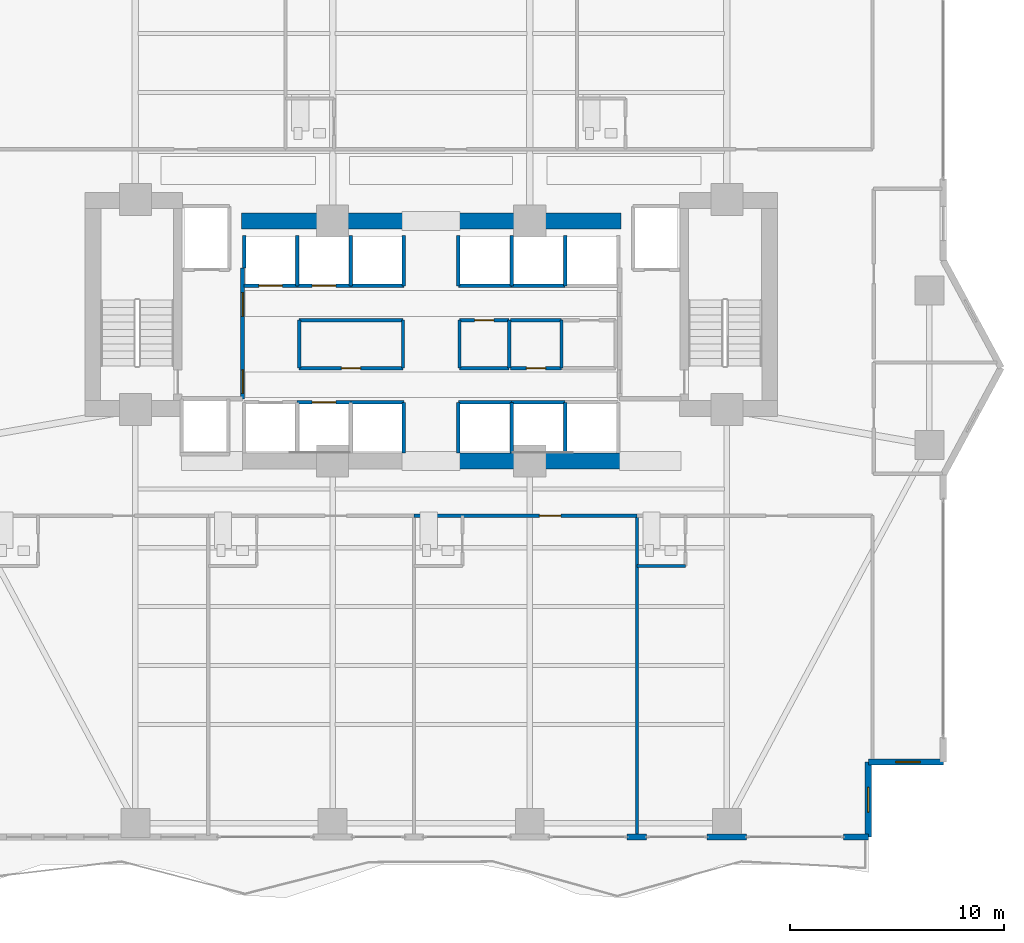
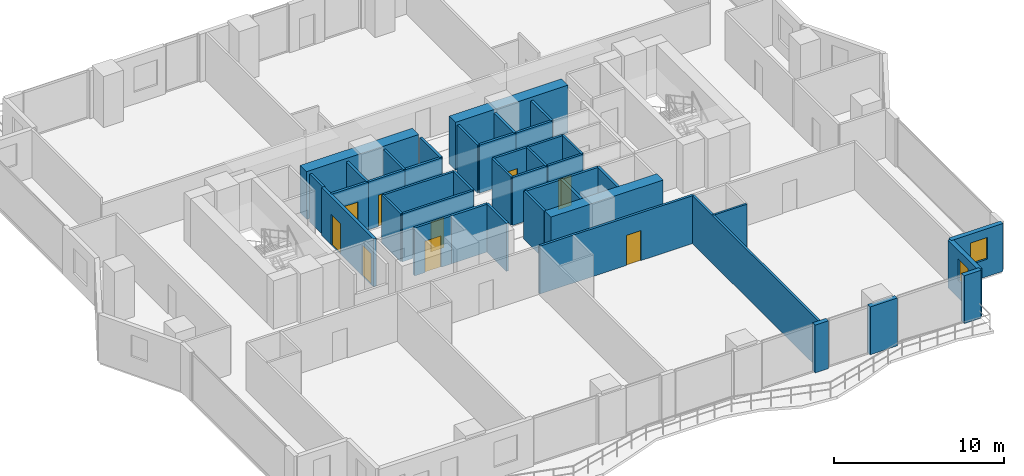
# One storey, part 22 of 28: 43 walls, 9 doors, 2 windows, 11 openings.
"""IFC4 building model written with IfcOpenShell, lengths in metres."""

from ifc_helpers import new_model, si_unit, direction, frame, frame_2d, origin, place, context, subcontext, project, spatial, rectangle, extrude, material, layer, layer_set, type_object, element, fill, save


model = new_model("IFC4")

# Units and contexts
model_context = context("Model", 3, precision=1e-05, world=origin(), true_north=direction((0.0, 1.0)))
body_context = subcontext(model_context, "Body", "Model", "MODEL_VIEW")
ifc_project = project(units=[si_unit("LENGTHUNIT", "METRE"), si_unit("AREAUNIT", "SQUARE_METRE"), si_unit("VOLUMEUNIT", "CUBIC_METRE"), si_unit("PLANEANGLEUNIT", "RADIAN"), si_unit("MASSUNIT", "GRAM", prefix="KILO")], contexts=[model_context])

# Site, building, storey
site_placement = place(None, origin())
site = spatial("IfcSite", under=ifc_project, at=site_placement, CompositionType="ELEMENT")
building_placement = place(site_placement, origin())
building = spatial("IfcBuilding", under=site, at=building_placement, Name="Zuhayl Quay Hotel", CompositionType="ELEMENT")
storey_placement = place(building_placement, frame((0.0, 0.0, 143.10009765625)))
storey = spatial("IfcBuildingStorey", under=building, at=storey_placement, Name="L36", CompositionType="ELEMENT", Elevation=143.10009765625)

# Walls
ifc_material_1 = material(Name="Concrete C60/75", Category="concrete")
ifc_layer_1 = layer(ifc_material_1, 0.75, Name="Concrete C60/75", Category="concrete")
ifc_layer_set_1 = layer_set([ifc_layer_1], Name="Concrete C60/75")
wall_type_1 = type_object("IfcWallType", Name="WL_CORE_750", PredefinedType="SHEAR", material=ifc_layer_set_1)
for number, where, z_axis, x_axis, name in (
    (1, (1.25, 2.14990234375, 0.0), (0.0, 0.0, 1.0), (1.0, 0.0, 0.0), "L36 Core Shear Wall CW_SC_E"),
    (2, (-8.85009765625, 13.35009765625, 0.0), (0.0, 0.0, 1.0), (1.0, 0.0, 0.0), "L36 Core Shear Wall CW_NC_W"),
    (3, (1.25, 13.35009765625, 0.0), (0.0, 0.0, 1.0), (1.0, 0.0, 0.0), "L36 Core Shear Wall CW_NC_E"),
):
    element("IfcWall", number, at=place(storey_placement, frame(where, z_axis=z_axis, x_axis=x_axis)), inside=storey, type_object=wall_type_1, Name=name, PredefinedType="SHEAR", context=body_context, shape_type="SweptSolid", body=[
        extrude(rectangle(XDim=7.60009765625, YDim=0.75, at=frame_2d((3.800048828125, 0.0))), origin(), (0.0, 0.0, 1.0), 3.429931640625),
    ])

# Wall, opening, window
ifc_material_2 = material(Name="Precast concrete C45/55", Category="concrete")
ifc_layer_2 = layer(ifc_material_2, 0.300048828125, Name="Precast concrete C45/55", Category="concrete")
ifc_layer_set_2 = layer_set([ifc_layer_2], Name="Precast concrete C45/55")
wall_type_2 = type_object("IfcWallType", Name="WL_EXT_300", PredefinedType="STANDARD", material=ifc_layer_set_2)
wall_1_placement = place(storey_placement, frame((23.89990234375, -11.89990234375, 0.0), z_axis=(0.0, 0.0, 1.0), x_axis=(-1.0, 0.0, 0.0)))
wall_1 = element("IfcWall", 4, at=wall_1_placement, inside=storey, type_object=wall_type_2, Name="L36 Exterior Precast Wall ENV_L36_EW15", PredefinedType="STANDARD", context=body_context, shape_type="SweptSolid", body=[
    extrude(rectangle(XDim=3.5, YDim=0.300048828125, at=frame_2d((1.75, 0.0))), origin(), (0.0, 0.0, 1.0), 3.429931640625),
])
opening_1_placement = place(wall_1_placement, frame((1.06494140625, 0.0, 1.25)))
opening_1 = element("IfcOpeningElement", 5, at=opening_1_placement, cuts=wall_1, Name="Opening W01N", PredefinedType="OPENING", context=body_context, shape_type="SweptSolid", body=[
    extrude(rectangle(XDim=1.14990234375, YDim=1.550048828125, at=frame_2d((0.574951171875, 0.77490234375))), frame((0.0, 0.159912109375, 0.0), z_axis=(0.0, -1.0, 0.0), x_axis=(1.0, 0.0, 0.0)), (0.0, 0.0, 1.0), 0.320068359375),
])
ifc_material_3 = material(Name="Dark Ceramic-Fritted Solar Glass", Category="glass")
window_type = type_object("IfcWindowType", Name="WN_NOTCH_1350", PartitioningType="SINGLE_PANEL", PredefinedType="WINDOW", material=ifc_material_3)
window_1_placement = place(opening_1_placement, origin())
window_1 = element("IfcWindow", 6, at=window_1_placement, inside=storey, type_object=window_type, Name="L36 Corner Notch Window 15", OverallHeight=1.550048828125, OverallWidth=1.14990234375, PartitioningType="SINGLE_PANEL", PredefinedType="WINDOW", context=body_context, shape_type="SweptSolid", body=[
    extrude(rectangle(XDim=1.14990234375, YDim=1.550048828125, at=frame_2d((0.574951171875, 0.77490234375))), frame((0.0, 0.030029296875, 0.0), z_axis=(0.0, -1.0, 0.0), x_axis=(1.0, 0.0, 0.0)), (0.0, 0.0, 1.0), 0.06005859375),
])
fill(opening_1, window_1)

wall_2_placement = place(storey_placement, frame((20.39990234375, -11.89990234375, 0.0), z_axis=(0.0, 0.0, 1.0), x_axis=(0.0, -1.0, 0.0)))
wall_2 = element("IfcWall", 7, at=wall_2_placement, inside=storey, type_object=wall_type_2, Name="L36 Exterior Precast Wall ENV_L36_EW16", PredefinedType="STANDARD", context=body_context, shape_type="SweptSolid", body=[
    extrude(rectangle(XDim=3.5, YDim=0.300048828125, at=frame_2d((1.75, 0.0))), origin(), (0.0, 0.0, 1.0), 3.429931640625),
])
opening_2_placement = place(wall_2_placement, frame((1.18505859375, 0.0, 1.25)))
opening_2 = element("IfcOpeningElement", 8, at=opening_2_placement, cuts=wall_2, Name="Opening W01N", PredefinedType="OPENING", context=body_context, shape_type="SweptSolid", body=[
    extrude(rectangle(XDim=1.14990234375, YDim=1.550048828125, at=frame_2d((0.574951171875, 0.77490234375))), frame((0.0, 0.159912109375, 0.0), z_axis=(0.0, -1.0, 0.0), x_axis=(1.0, 0.0, 0.0)), (0.0, 0.0, 1.0), 0.320068359375),
])
window_2_placement = place(opening_2_placement, origin())
window_2 = element("IfcWindow", 9, at=window_2_placement, inside=storey, type_object=window_type, Name="L36 Corner Notch Window 16", OverallHeight=1.550048828125, OverallWidth=1.14990234375, PartitioningType="SINGLE_PANEL", PredefinedType="WINDOW", context=body_context, shape_type="SweptSolid", body=[
    extrude(rectangle(XDim=1.14990234375, YDim=1.550048828125, at=frame_2d((0.574951171875, 0.77490234375))), frame((0.0, 0.030029296875, 0.0), z_axis=(0.0, -1.0, 0.0), x_axis=(1.0, 0.0, 0.0)), (0.0, 0.0, 1.0), 0.06005859375),
])
fill(opening_2, window_2)

# Walls
wall_3_placement = place(storey_placement, frame((20.39990234375, -15.39990234375, 0.0), z_axis=(0.0, 0.0, 1.0), x_axis=(-1.0, 0.0, 0.0)))
element("IfcWall", 10, at=wall_3_placement, inside=storey, type_object=wall_type_2, Name="L36 Exterior Precast Wall ENV_L36_S_EW1", PredefinedType="STANDARD", context=body_context, shape_type="SweptSolid", body=[
    extrude(rectangle(XDim=1.14990234375, YDim=0.300048828125, at=frame_2d((0.574951171875, 0.0))), origin(), (0.0, 0.0, 1.0), 3.429931640625),
])
wall_4_placement = place(storey_placement, frame((14.719970703125, -15.39990234375, 0.0), z_axis=(0.0, 0.0, 1.0), x_axis=(-1.0, 0.0, 0.0)))
element("IfcWall", 11, at=wall_4_placement, inside=storey, type_object=wall_type_2, Name="L36 Exterior Precast Wall ENV_L36_S_EW2", PredefinedType="STANDARD", context=body_context, shape_type="SweptSolid", body=[
    extrude(rectangle(XDim=1.840087890625, YDim=0.300048828125, at=frame_2d((0.919921875, 0.0))), origin(), (0.0, 0.0, 1.0), 3.429931640625),
])
wall_5_placement = place(storey_placement, frame((10.050048828125, -15.39990234375, 0.0), z_axis=(0.0, 0.0, 1.0), x_axis=(-1.0, 0.0, 0.0)))
element("IfcWall", 12, at=wall_5_placement, inside=storey, type_object=wall_type_2, Name="L36 Exterior Precast Wall ENV_L36_S_EW3", PredefinedType="STANDARD", context=body_context, shape_type="SweptSolid", body=[
    extrude(rectangle(XDim=0.900146484375, YDim=0.300048828125, at=frame_2d((0.4501953125, 0.0))), origin(), (0.0, 0.0, 1.0), 3.429931640625),
])

# Wall, opening, door
ifc_material_4 = material(Name="Acoustic Gypsum Partition STC-58")
ifc_layer_3 = layer(ifc_material_4, 0.14990234375, Name="Acoustic Gypsum Partition STC-58")
ifc_layer_set_3 = layer_set([ifc_layer_3], Name="Acoustic Gypsum Partition STC-58")
wall_type_3 = type_object("IfcWallType", Name="WL_PART_150", PredefinedType="PARTITIONING", material=ifc_layer_set_3)
wall_6_placement = place(storey_placement, frame((-6.159912109375, 6.47998046875, 0.0), z_axis=(0.0, 0.0, 1.0), x_axis=(1.0, 0.0, 0.0)))
wall_6 = element("IfcWall", 13, at=wall_6_placement, inside=storey, type_object=wall_type_3, Name="L36 Partition IW_L36_CORE_SV_S", PredefinedType="PARTITIONING", context=body_context, shape_type="SweptSolid", body=[
    extrude(rectangle(XDim=4.83984375, YDim=0.14990234375, at=frame_2d((2.419921875, 0.0))), origin(), (0.0, 0.0, 1.0), 3.429931640625),
])
opening_3_placement = place(wall_6_placement, frame((1.969970703125, 0.0, 0.0)))
opening_3 = element("IfcOpeningElement", 14, at=opening_3_placement, cuts=wall_6, Name="Opening D06", PredefinedType="OPENING", context=body_context, shape_type="SweptSolid", body=[
    extrude(rectangle(XDim=0.89990234375, YDim=2.14990234375, at=frame_2d((0.449951171875, 1.074951171875))), frame((0.0, 0.0849609375, 0.0), z_axis=(0.0, -1.0, 0.0), x_axis=(1.0, 0.0, 0.0)), (0.0, 0.0, 1.0), 0.169921875),
])
ifc_material_5 = material(Name="Steel ASTM A992 Grade 50", Category="steel")
door_type_1 = type_object("IfcDoorType", Name="DR_INT_900", OperationType="NOTDEFINED", PredefinedType="DOOR", material=ifc_material_5)
door_1_placement = place(opening_3_placement, origin())
door_1 = element("IfcDoor", 15, at=door_1_placement, inside=storey, type_object=door_type_1, Name="L36 Core Ice and Linen Store Door", OperationType="SINGLE_SWING_LEFT", OverallHeight=2.14990234375, OverallWidth=0.89990234375, PredefinedType="DOOR", context=body_context, shape_type="SweptSolid", body=[
    extrude(rectangle(XDim=0.89990234375, YDim=2.14990234375, at=frame_2d((0.449951171875, 1.074951171875))), frame((0.0, 0.02490234375, 0.0), z_axis=(0.0, -1.0, 0.0), x_axis=(1.0, 0.0, 0.0)), (0.0, 0.0, 1.0), 0.050048828125),
])
fill(opening_3, door_1)

wall_7_placement = place(storey_placement, frame((1.320068359375, 8.719970703125, 0.0), z_axis=(0.0, 0.0, 1.0), x_axis=(1.0, 0.0, 0.0)))
wall_7 = element("IfcWall", 16, at=wall_7_placement, inside=storey, type_object=wall_type_3, Name="L36 Partition IW_L36_CORE_E1_N", PredefinedType="PARTITIONING", context=body_context, shape_type="SweptSolid", body=[
    extrude(rectangle(XDim=2.31982421875, YDim=0.14990234375, at=frame_2d((1.159912109375, 0.0))), origin(), (0.0, 0.0, 1.0), 3.429931640625),
])
opening_4_placement = place(wall_7_placement, frame((0.7099609375, 0.0, 0.0)))
opening_4 = element("IfcOpeningElement", 17, at=opening_4_placement, cuts=wall_7, Name="Opening D06", PredefinedType="OPENING", context=body_context, shape_type="SweptSolid", body=[
    extrude(rectangle(XDim=0.89990234375, YDim=2.14990234375, at=frame_2d((0.449951171875, 1.074951171875))), frame((0.0, 0.0849609375, 0.0), z_axis=(0.0, -1.0, 0.0), x_axis=(1.0, 0.0, 0.0)), (0.0, 0.0, 1.0), 0.169921875),
])
door_2_placement = place(opening_4_placement, origin())
door_2 = element("IfcDoor", 18, at=door_2_placement, inside=storey, type_object=door_type_1, Name="L36 Floor Electrical Closet Door", OperationType="SINGLE_SWING_RIGHT", OverallHeight=2.14990234375, OverallWidth=0.89990234375, PredefinedType="DOOR", context=body_context, shape_type="SweptSolid", body=[
    extrude(rectangle(XDim=0.89990234375, YDim=2.14990234375, at=frame_2d((0.449951171875, 1.074951171875))), frame((0.0, 0.02490234375, 0.0), z_axis=(0.0, -1.0, 0.0), x_axis=(1.0, 0.0, 0.0)), (0.0, 0.0, 1.0), 0.050048828125),
])
fill(opening_4, door_2)

wall_8_placement = place(storey_placement, frame((3.699951171875, 6.47998046875, 0.0), z_axis=(0.0, 0.0, 1.0), x_axis=(1.0, 0.0, 0.0)))
wall_8 = element("IfcWall", 19, at=wall_8_placement, inside=storey, type_object=wall_type_3, Name="L36 Partition IW_L36_CORE_E2_S", PredefinedType="PARTITIONING", context=body_context, shape_type="SweptSolid", body=[
    extrude(rectangle(XDim=2.380126953125, YDim=0.14990234375, at=frame_2d((1.18994140625, 0.0))), origin(), (0.0, 0.0, 1.0), 3.429931640625),
])
opening_5_placement = place(wall_8_placement, frame((0.739990234375, 0.0, 0.0)))
opening_5 = element("IfcOpeningElement", 20, at=opening_5_placement, cuts=wall_8, Name="Opening D06", PredefinedType="OPENING", context=body_context, shape_type="SweptSolid", body=[
    extrude(rectangle(XDim=0.89990234375, YDim=2.14990234375, at=frame_2d((0.449951171875, 1.074951171875))), frame((0.0, 0.0849609375, 0.0), z_axis=(0.0, -1.0, 0.0), x_axis=(1.0, 0.0, 0.0)), (0.0, 0.0, 1.0), 0.169921875),
])
door_3_placement = place(opening_5_placement, origin())
door_3 = element("IfcDoor", 21, at=door_3_placement, inside=storey, type_object=door_type_1, Name="L36 Data Closet Door", OperationType="SINGLE_SWING_LEFT", OverallHeight=2.14990234375, OverallWidth=0.89990234375, PredefinedType="DOOR", context=body_context, shape_type="SweptSolid", body=[
    extrude(rectangle(XDim=0.89990234375, YDim=2.14990234375, at=frame_2d((0.449951171875, 1.074951171875))), frame((0.0, 0.02490234375, 0.0), z_axis=(0.0, -1.0, 0.0), x_axis=(1.0, 0.0, 0.0)), (0.0, 0.0, 1.0), 0.050048828125),
])
fill(opening_5, door_3)

# Walls
wall_9_placement = place(storey_placement, frame((-6.159912109375, 8.719970703125, 0.0), z_axis=(0.0, 0.0, 1.0), x_axis=(1.0, 0.0, 0.0)))
element("IfcWall", 22, at=wall_9_placement, inside=storey, type_object=wall_type_3, Name="L36 Partition IW_L36_CORE_SV_N", PredefinedType="PARTITIONING", context=body_context, shape_type="SweptSolid", body=[
    extrude(rectangle(XDim=4.83984375, YDim=0.14990234375, at=frame_2d((2.419921875, 0.0))), origin(), (0.0, 0.0, 1.0), 3.429931640625),
])
for number, where, z_axis, x_axis, name in (
    (23, (-6.159912109375, 6.47998046875, 0.0), (0.0, 0.0, 1.0), (0.0, 1.0, 0.0), "L36 Partition IW_L36_CORE_SV_W"),
    (24, (-1.320068359375, 6.47998046875, 0.0), (0.0, 0.0, 1.0), (0.0, 1.0, 0.0), "L36 Partition IW_L36_CORE_SV_E"),
):
    element("IfcWall", number, at=place(storey_placement, frame(where, z_axis=z_axis, x_axis=x_axis)), inside=storey, type_object=wall_type_3, Name=name, PredefinedType="PARTITIONING", context=body_context, shape_type="SweptSolid", body=[
        extrude(rectangle(XDim=2.239990234375, YDim=0.14990234375, at=frame_2d((1.1201171875, 0.0))), origin(), (0.0, 0.0, 1.0), 3.429931640625),
    ])
wall_10_placement = place(storey_placement, frame((1.320068359375, 6.47998046875, 0.0), z_axis=(0.0, 0.0, 1.0), x_axis=(1.0, 0.0, 0.0)))
element("IfcWall", 25, at=wall_10_placement, inside=storey, type_object=wall_type_3, Name="L36 Partition IW_L36_CORE_E1_S", PredefinedType="PARTITIONING", context=body_context, shape_type="SweptSolid", body=[
    extrude(rectangle(XDim=2.31982421875, YDim=0.14990234375, at=frame_2d((1.159912109375, 0.0))), origin(), (0.0, 0.0, 1.0), 3.429931640625),
])
for number, where, z_axis, x_axis, name in (
    (26, (1.320068359375, 6.47998046875, 0.0), (0.0, 0.0, 1.0), (0.0, 1.0, 0.0), "L36 Partition IW_L36_CORE_E1_W"),
    (27, (3.639892578125, 6.47998046875, 0.0), (0.0, 0.0, 1.0), (0.0, 1.0, 0.0), "L36 Partition IW_L36_CORE_E1_E"),
):
    element("IfcWall", number, at=place(storey_placement, frame(where, z_axis=z_axis, x_axis=x_axis)), inside=storey, type_object=wall_type_3, Name=name, PredefinedType="PARTITIONING", context=body_context, shape_type="SweptSolid", body=[
        extrude(rectangle(XDim=2.239990234375, YDim=0.14990234375, at=frame_2d((1.1201171875, 0.0))), origin(), (0.0, 0.0, 1.0), 3.429931640625),
    ])
wall_11_placement = place(storey_placement, frame((3.699951171875, 8.719970703125, 0.0), z_axis=(0.0, 0.0, 1.0), x_axis=(1.0, 0.0, 0.0)))
element("IfcWall", 28, at=wall_11_placement, inside=storey, type_object=wall_type_3, Name="L36 Partition IW_L36_CORE_E2_N", PredefinedType="PARTITIONING", context=body_context, shape_type="SweptSolid", body=[
    extrude(rectangle(XDim=2.380126953125, YDim=0.14990234375, at=frame_2d((1.18994140625, 0.0))), origin(), (0.0, 0.0, 1.0), 3.429931640625),
])
wall_12_placement = place(storey_placement, frame((6.080078125, 6.47998046875, 0.0), z_axis=(0.0, 0.0, 1.0), x_axis=(0.0, 1.0, 0.0)))
element("IfcWall", 29, at=wall_12_placement, inside=storey, type_object=wall_type_3, Name="L36 Partition IW_L36_CORE_E2_E", PredefinedType="PARTITIONING", context=body_context, shape_type="SweptSolid", body=[
    extrude(rectangle(XDim=2.239990234375, YDim=0.14990234375, at=frame_2d((1.1201171875, 0.0))), origin(), (0.0, 0.0, 1.0), 3.429931640625),
])
wall_13_placement = place(storey_placement, frame((9.60009765625, -15.320068359375, 0.0), z_axis=(0.0, 0.0, 1.0), x_axis=(0.0, 1.0, 0.0)))
element("IfcWall", 30, at=wall_13_placement, inside=storey, type_object=wall_type_3, Name="L36 Partition IW_L36_SU03_E", PredefinedType="PARTITIONING", context=body_context, shape_type="SweptSolid", body=[
    extrude(rectangle(XDim=14.920166015625, YDim=0.14990234375, at=frame_2d((7.4599609375, 0.0))), origin(), (0.0, 0.0, 1.0), 3.429931640625),
])

# Wall, opening, door
ifc_layer_4 = layer(ifc_material_4, 0.159912109375, Name="Acoustic Gypsum Partition STC-58")
ifc_layer_set_4 = layer_set([ifc_layer_4], Name="Acoustic Gypsum Partition STC-58")
wall_type_4 = type_object("IfcWallType", Name="WL_PART_CORR_160", PredefinedType="PARTITIONING", material=ifc_layer_set_4)
wall_14_placement = place(storey_placement, frame((-0.800048828125, -0.39990234375, 0.0), z_axis=(0.0, 0.0, 1.0), x_axis=(1.0, 0.0, 0.0)))
wall_14 = element("IfcWall", 31, at=wall_14_placement, inside=storey, type_object=wall_type_4, Name="L36 Partition IW_L36_SU03_COR", PredefinedType="PARTITIONING", context=body_context, shape_type="SweptSolid", body=[
    extrude(rectangle(XDim=10.400146484375, YDim=0.159912109375, at=frame_2d((5.2001953125, 0.0))), origin(), (0.0, 0.0, 1.0), 3.429931640625),
])
opening_6_placement = place(wall_14_placement, frame((5.85009765625, 0.0, 0.0)))
opening_6 = element("IfcOpeningElement", 32, at=opening_6_placement, cuts=wall_14, Name="Opening D03L", PredefinedType="OPENING", context=body_context, shape_type="SweptSolid", body=[
    extrude(rectangle(XDim=1.0, YDim=2.14990234375, at=frame_2d((0.5, 1.074951171875))), frame((0.0, 0.08984375, 0.0), z_axis=(0.0, -1.0, 0.0), x_axis=(1.0, 0.0, 0.0)), (0.0, 0.0, 1.0), 0.179931640625),
])
ifc_material_6 = material(Name="Solid Walnut Acoustic Fire Door")
door_type_2 = type_object("IfcDoorType", Name="DR_SUITE_1000", OperationType="NOTDEFINED", PredefinedType="DOOR", material=ifc_material_6)
door_4_placement = place(opening_6_placement, origin())
door_4 = element("IfcDoor", 33, at=door_4_placement, inside=storey, type_object=door_type_2, Name="L36 City-View Junior Suite L36-03 Entrance Door", OperationType="SINGLE_SWING_LEFT", OverallHeight=2.14990234375, OverallWidth=1.0, PredefinedType="DOOR", context=body_context, shape_type="SweptSolid", body=[
    extrude(rectangle(XDim=1.0, YDim=2.14990234375, at=frame_2d((0.5, 1.074951171875))), frame((0.0, 0.02490234375, 0.0), z_axis=(0.0, -1.0, 0.0), x_axis=(1.0, 0.0, 0.0)), (0.0, 0.0, 1.0), 0.050048828125),
])
fill(opening_6, door_4)

# Wall
ifc_material_7 = material(Name="Moisture-Resistant Sanitarychase Gypsum")
ifc_layer_5 = layer(ifc_material_7, 0.135009765625, Name="Moisture-Resistant Sanitarychase Gypsum")
ifc_layer_set_5 = layer_set([ifc_layer_5], Name="Moisture-Resistant Sanitarychase Gypsum")
wall_type_5 = type_object("IfcWallType", Name="WL_PART_PLUMB_150", PredefinedType="PLUMBINGWALL", material=ifc_layer_set_5)
wall_15_placement = place(storey_placement, frame((9.60009765625, -2.760009765625, 0.0), z_axis=(0.0, 0.0, 1.0), x_axis=(1.0, 0.0, 0.0)))
element("IfcWall", 34, at=wall_15_placement, inside=storey, type_object=wall_type_5, Name="L36 Partition IW_L36_SU04_BS", PredefinedType="PLUMBINGWALL", context=body_context, shape_type="SweptSolid", body=[
    extrude(rectangle(XDim=2.260009765625, YDim=0.135009765625, at=frame_2d((1.1298828125, 0.0))), origin(), (0.0, 0.0, 1.0), 3.429931640625),
])

# Wall, opening, door
ifc_material_8 = material(Name="Gypsum Fireboard Assembly EI-90")
ifc_layer_6 = layer(ifc_material_8, 0.1650390625, Name="Gypsum Fireboard Assembly EI-90")
ifc_layer_set_6 = layer_set([ifc_layer_6], Name="Gypsum Fireboard Assembly EI-90")
wall_type_6 = type_object("IfcWallType", Name="WL_PART_SHAFT_160", PredefinedType="PARTITIONING", material=ifc_layer_set_6)
wall_16_placement = place(storey_placement, frame((-6.25, 4.8798828125, 0.0), z_axis=(0.0, 0.0, 1.0), x_axis=(1.0, 0.0, 0.0)))
wall_16 = element("IfcWall", 35, at=wall_16_placement, inside=storey, type_object=wall_type_6, Name="L36 Partition IW_L36_SH_LP2_F", PredefinedType="PARTITIONING", context=body_context, shape_type="SweptSolid", body=[
    extrude(rectangle(XDim=2.5, YDim=0.1650390625, at=frame_2d((1.25, 0.0))), origin(), (0.0, 0.0, 1.0), 3.429931640625),
])
opening_7_placement = place(wall_16_placement, frame((0.699951171875, 0.0, 0.0)))
opening_7 = element("IfcOpeningElement", 36, at=opening_7_placement, cuts=wall_16, Name="Opening LD1", PredefinedType="OPENING", context=body_context, shape_type="SweptSolid", body=[
    extrude(rectangle(XDim=1.10009765625, YDim=2.25, at=frame_2d((0.550048828125, 1.125))), frame((0.0, 0.092529296875, 0.0), z_axis=(0.0, -1.0, 0.0), x_axis=(1.0, 0.0, 0.0)), (0.0, 0.0, 1.0), 0.18505859375),
])
ifc_material_9 = material(Name="Brushed Stainless Steel", Category="steel")
door_type_3 = type_object("IfcDoorType", Name="DR_LIFT_PASS_1100", OperationType="SLIDING_TO_LEFT", PredefinedType="DOOR", material=ifc_material_9)
door_5_placement = place(opening_7_placement, origin())
door_5 = element("IfcDoor", 37, at=door_5_placement, inside=storey, type_object=door_type_3, Name="L36 Lift LP2 Sliding Landing Door", OperationType="SLIDING_TO_LEFT", OverallHeight=2.25, OverallWidth=1.10009765625, PredefinedType="DOOR", context=body_context, shape_type="SweptSolid", body=[
    extrude(rectangle(XDim=1.10009765625, YDim=2.25, at=frame_2d((0.550048828125, 1.125))), frame((0.0, 0.02490234375, 0.0), z_axis=(0.0, -1.0, 0.0), x_axis=(1.0, 0.0, 0.0)), (0.0, 0.0, 1.0), 0.050048828125),
])
fill(opening_7, door_5)

wall_17_placement = place(storey_placement, frame((-8.72998046875, 10.320068359375, 0.0), z_axis=(0.0, 0.0, 1.0), x_axis=(1.0, 0.0, 0.0)))
wall_17 = element("IfcWall", 38, at=wall_17_placement, inside=storey, type_object=wall_type_6, Name="L36 Partition IW_L36_SH_LP3_F", PredefinedType="PARTITIONING", context=body_context, shape_type="SweptSolid", body=[
    extrude(rectangle(XDim=2.47998046875, YDim=0.1650390625, at=frame_2d((1.239990234375, 0.0))), origin(), (0.0, 0.0, 1.0), 3.429931640625),
])
opening_8_placement = place(wall_17_placement, frame((0.68994140625, 0.0, 0.0)))
opening_8 = element("IfcOpeningElement", 39, at=opening_8_placement, cuts=wall_17, Name="Opening LD1", PredefinedType="OPENING", context=body_context, shape_type="SweptSolid", body=[
    extrude(rectangle(XDim=1.10009765625, YDim=2.25, at=frame_2d((0.550048828125, 1.125))), frame((0.0, 0.092529296875, 0.0), z_axis=(0.0, -1.0, 0.0), x_axis=(1.0, 0.0, 0.0)), (0.0, 0.0, 1.0), 0.18505859375),
])
door_6_placement = place(opening_8_placement, origin())
door_6 = element("IfcDoor", 40, at=door_6_placement, inside=storey, type_object=door_type_3, Name="L36 Lift LP3 Sliding Landing Door", OperationType="SLIDING_TO_LEFT", OverallHeight=2.25, OverallWidth=1.10009765625, PredefinedType="DOOR", context=body_context, shape_type="SweptSolid", body=[
    extrude(rectangle(XDim=1.10009765625, YDim=2.25, at=frame_2d((0.550048828125, 1.125))), frame((0.0, 0.02490234375, 0.0), z_axis=(0.0, -1.0, 0.0), x_axis=(1.0, 0.0, 0.0)), (0.0, 0.0, 1.0), 0.050048828125),
])
fill(opening_8, door_6)

wall_18_placement = place(storey_placement, frame((-6.25, 10.320068359375, 0.0), z_axis=(0.0, 0.0, 1.0), x_axis=(1.0, 0.0, 0.0)))
wall_18 = element("IfcWall", 41, at=wall_18_placement, inside=storey, type_object=wall_type_6, Name="L36 Partition IW_L36_SH_LP4_F", PredefinedType="PARTITIONING", context=body_context, shape_type="SweptSolid", body=[
    extrude(rectangle(XDim=2.5, YDim=0.1650390625, at=frame_2d((1.25, 0.0))), origin(), (0.0, 0.0, 1.0), 3.429931640625),
])
opening_9_placement = place(wall_18_placement, frame((0.699951171875, 0.0, 0.0)))
opening_9 = element("IfcOpeningElement", 42, at=opening_9_placement, cuts=wall_18, Name="Opening LD1", PredefinedType="OPENING", context=body_context, shape_type="SweptSolid", body=[
    extrude(rectangle(XDim=1.10009765625, YDim=2.25, at=frame_2d((0.550048828125, 1.125))), frame((0.0, 0.092529296875, 0.0), z_axis=(0.0, -1.0, 0.0), x_axis=(1.0, 0.0, 0.0)), (0.0, 0.0, 1.0), 0.18505859375),
])
door_7_placement = place(opening_9_placement, origin())
door_7 = element("IfcDoor", 43, at=door_7_placement, inside=storey, type_object=door_type_3, Name="L36 Lift LP4 Sliding Landing Door", OperationType="SLIDING_TO_LEFT", OverallHeight=2.25, OverallWidth=1.10009765625, PredefinedType="DOOR", context=body_context, shape_type="SweptSolid", body=[
    extrude(rectangle(XDim=1.10009765625, YDim=2.25, at=frame_2d((0.550048828125, 1.125))), frame((0.0, 0.02490234375, 0.0), z_axis=(0.0, -1.0, 0.0), x_axis=(1.0, 0.0, 0.0)), (0.0, 0.0, 1.0), 0.050048828125),
])
fill(opening_9, door_7)

# Walls
wall_19_placement = place(storey_placement, frame((-8.72998046875, 11.14990234375, 0.0), z_axis=(0.0, 0.0, 1.0), x_axis=(0.0, 1.0, 0.0)))
element("IfcWall", 44, at=wall_19_placement, inside=storey, type_object=wall_type_6, Name="L36 Partition IW_L36_SH_LP3_W", PredefinedType="PARTITIONING", context=body_context, shape_type="SweptSolid", body=[
    extrude(rectangle(XDim=1.530029296875, YDim=0.1650390625, at=frame_2d((0.76513671875, 0.0))), origin(), (0.0, 0.0, 1.0), 3.429931640625),
])
for number, where, z_axis, x_axis, name in (
    (45, (-6.25, 10.320068359375, 0.0), (0.0, 0.0, 1.0), (0.0, 1.0, 0.0), "L36 Partition IW_L36_SH_LP3_E"),
    (46, (-3.75, 10.320068359375, 0.0), (0.0, 0.0, 1.0), (0.0, 1.0, 0.0), "L36 Partition IW_L36_SH_LP4_E"),
):
    element("IfcWall", number, at=place(storey_placement, frame(where, z_axis=z_axis, x_axis=x_axis)), inside=storey, type_object=wall_type_6, Name=name, PredefinedType="PARTITIONING", context=body_context, shape_type="SweptSolid", body=[
        extrude(rectangle(XDim=2.35986328125, YDim=0.1650390625, at=frame_2d((1.179931640625, 0.0))), origin(), (0.0, 0.0, 1.0), 3.429931640625),
    ])
wall_20_placement = place(storey_placement, frame((-3.75, 4.8798828125, 0.0), z_axis=(0.0, 0.0, 1.0), x_axis=(1.0, 0.0, 0.0)))
element("IfcWall", 47, at=wall_20_placement, inside=storey, type_object=wall_type_6, Name="L36 Partition IW_L36_SH_MP1_F", PredefinedType="PARTITIONING", context=body_context, shape_type="SweptSolid", body=[
    extrude(rectangle(XDim=2.47998046875, YDim=0.1650390625, at=frame_2d((1.239990234375, 0.0))), origin(), (0.0, 0.0, 1.0), 3.429931640625),
])
wall_21_placement = place(storey_placement, frame((-1.27001953125, 2.52001953125, 0.0), z_axis=(0.0, 0.0, 1.0), x_axis=(0.0, 1.0, 0.0)))
element("IfcWall", 48, at=wall_21_placement, inside=storey, type_object=wall_type_6, Name="L36 Partition IW_L36_SH_MP1_E", PredefinedType="PARTITIONING", context=body_context, shape_type="SweptSolid", body=[
    extrude(rectangle(XDim=2.35986328125, YDim=0.1650390625, at=frame_2d((1.179931640625, 0.0))), origin(), (0.0, 0.0, 1.0), 3.429931640625),
])
wall_22_placement = place(storey_placement, frame((1.27001953125, 4.8798828125, 0.0), z_axis=(0.0, 0.0, 1.0), x_axis=(1.0, 0.0, 0.0)))
element("IfcWall", 49, at=wall_22_placement, inside=storey, type_object=wall_type_6, Name="L36 Partition IW_L36_SH_MP2_F", PredefinedType="PARTITIONING", context=body_context, shape_type="SweptSolid", body=[
    extrude(rectangle(XDim=2.47998046875, YDim=0.1650390625, at=frame_2d((1.239990234375, 0.0))), origin(), (0.0, 0.0, 1.0), 3.429931640625),
])
for number, where, z_axis, x_axis, name in (
    (50, (1.27001953125, 2.52001953125, 0.0), (0.0, 0.0, 1.0), (0.0, 1.0, 0.0), "L36 Partition IW_L36_SH_MP2_W"),
    (51, (3.75, 2.52001953125, 0.0), (0.0, 0.0, 1.0), (0.0, 1.0, 0.0), "L36 Partition IW_L36_SH_MP2_E"),
):
    element("IfcWall", number, at=place(storey_placement, frame(where, z_axis=z_axis, x_axis=x_axis)), inside=storey, type_object=wall_type_6, Name=name, PredefinedType="PARTITIONING", context=body_context, shape_type="SweptSolid", body=[
        extrude(rectangle(XDim=2.35986328125, YDim=0.1650390625, at=frame_2d((1.179931640625, 0.0))), origin(), (0.0, 0.0, 1.0), 3.429931640625),
    ])
wall_23_placement = place(storey_placement, frame((-3.75, 10.320068359375, 0.0), z_axis=(0.0, 0.0, 1.0), x_axis=(1.0, 0.0, 0.0)))
element("IfcWall", 52, at=wall_23_placement, inside=storey, type_object=wall_type_6, Name="L36 Partition IW_L36_SH_MP3_F", PredefinedType="PARTITIONING", context=body_context, shape_type="SweptSolid", body=[
    extrude(rectangle(XDim=2.47998046875, YDim=0.1650390625, at=frame_2d((1.239990234375, 0.0))), origin(), (0.0, 0.0, 1.0), 3.429931640625),
])
wall_24_placement = place(storey_placement, frame((-1.27001953125, 10.320068359375, 0.0), z_axis=(0.0, 0.0, 1.0), x_axis=(0.0, 1.0, 0.0)))
element("IfcWall", 53, at=wall_24_placement, inside=storey, type_object=wall_type_6, Name="L36 Partition IW_L36_SH_MP3_E", PredefinedType="PARTITIONING", context=body_context, shape_type="SweptSolid", body=[
    extrude(rectangle(XDim=2.35986328125, YDim=0.1650390625, at=frame_2d((1.179931640625, 0.0))), origin(), (0.0, 0.0, 1.0), 3.429931640625),
])
wall_25_placement = place(storey_placement, frame((1.27001953125, 10.320068359375, 0.0), z_axis=(0.0, 0.0, 1.0), x_axis=(1.0, 0.0, 0.0)))
element("IfcWall", 54, at=wall_25_placement, inside=storey, type_object=wall_type_6, Name="L36 Partition IW_L36_SH_MP4_F", PredefinedType="PARTITIONING", context=body_context, shape_type="SweptSolid", body=[
    extrude(rectangle(XDim=2.47998046875, YDim=0.1650390625, at=frame_2d((1.239990234375, 0.0))), origin(), (0.0, 0.0, 1.0), 3.429931640625),
])
for number, where, z_axis, x_axis, name in (
    (55, (1.27001953125, 10.320068359375, 0.0), (0.0, 0.0, 1.0), (0.0, 1.0, 0.0), "L36 Partition IW_L36_SH_MP4_W"),
    (56, (3.75, 10.320068359375, 0.0), (0.0, 0.0, 1.0), (0.0, 1.0, 0.0), "L36 Partition IW_L36_SH_MP4_E"),
):
    element("IfcWall", number, at=place(storey_placement, frame(where, z_axis=z_axis, x_axis=x_axis)), inside=storey, type_object=wall_type_6, Name=name, PredefinedType="PARTITIONING", context=body_context, shape_type="SweptSolid", body=[
        extrude(rectangle(XDim=2.35986328125, YDim=0.1650390625, at=frame_2d((1.179931640625, 0.0))), origin(), (0.0, 0.0, 1.0), 3.429931640625),
    ])
wall_26_placement = place(storey_placement, frame((3.75, 4.8798828125, 0.0), z_axis=(0.0, 0.0, 1.0), x_axis=(1.0, 0.0, 0.0)))
element("IfcWall", 57, at=wall_26_placement, inside=storey, type_object=wall_type_6, Name="L36 Partition IW_L36_SH_HP1_F", PredefinedType="PARTITIONING", context=body_context, shape_type="SweptSolid", body=[
    extrude(rectangle(XDim=2.5, YDim=0.1650390625, at=frame_2d((1.25, 0.0))), origin(), (0.0, 0.0, 1.0), 3.429931640625),
])
wall_27_placement = place(storey_placement, frame((6.25, 2.52001953125, 0.0), z_axis=(0.0, 0.0, 1.0), x_axis=(0.0, 1.0, 0.0)))
element("IfcWall", 58, at=wall_27_placement, inside=storey, type_object=wall_type_6, Name="L36 Partition IW_L36_SH_HP1_E", PredefinedType="PARTITIONING", context=body_context, shape_type="SweptSolid", body=[
    extrude(rectangle(XDim=2.35986328125, YDim=0.1650390625, at=frame_2d((1.179931640625, 0.0))), origin(), (0.0, 0.0, 1.0), 3.429931640625),
])
wall_28_placement = place(storey_placement, frame((3.75, 10.320068359375, 0.0), z_axis=(0.0, 0.0, 1.0), x_axis=(1.0, 0.0, 0.0)))
element("IfcWall", 59, at=wall_28_placement, inside=storey, type_object=wall_type_6, Name="L36 Partition IW_L36_SH_HP3_F", PredefinedType="PARTITIONING", context=body_context, shape_type="SweptSolid", body=[
    extrude(rectangle(XDim=2.5, YDim=0.1650390625, at=frame_2d((1.25, 0.0))), origin(), (0.0, 0.0, 1.0), 3.429931640625),
])
wall_29_placement = place(storey_placement, frame((6.25, 10.320068359375, 0.0), z_axis=(0.0, 0.0, 1.0), x_axis=(0.0, 1.0, 0.0)))
element("IfcWall", 60, at=wall_29_placement, inside=storey, type_object=wall_type_6, Name="L36 Partition IW_L36_SH_HP3_E", PredefinedType="PARTITIONING", context=body_context, shape_type="SweptSolid", body=[
    extrude(rectangle(XDim=2.35986328125, YDim=0.1650390625, at=frame_2d((1.179931640625, 0.0))), origin(), (0.0, 0.0, 1.0), 3.429931640625),
])

# Wall, openings, doors
ifc_material_10 = material(Name="Gypsum Fireboard Assembly EI-120")
ifc_layer_7 = layer(ifc_material_10, 0.199951171875, Name="Gypsum Fireboard Assembly EI-120")
ifc_layer_set_7 = layer_set([ifc_layer_7], Name="Gypsum Fireboard Assembly EI-120")
wall_type_7 = type_object("IfcWallType", Name="WL_PART_SHAFT_200", PredefinedType="PARTITIONING", material=ifc_layer_set_7)
wall_30_placement = place(storey_placement, frame((-8.800048828125, 5.050048828125, 0.0), z_axis=(0.0, 0.0, 1.0), x_axis=(0.0, 1.0, 0.0)))
wall_30 = element("IfcWall", 61, at=wall_30_placement, inside=storey, type_object=wall_type_7, Name="L36 Partition IW_L36_FSAE_W_E", PredefinedType="PARTITIONING", context=body_context, shape_type="SweptSolid", body=[
    extrude(rectangle(XDim=6.099853515625, YDim=0.199951171875, at=frame_2d((3.0498046875, 0.0))), origin(), (0.0, 0.0, 1.0), 3.429931640625),
])
opening_10_placement = place(wall_30_placement, frame((0.25, 0.0, 0.0)))
opening_10 = element("IfcOpeningElement", 62, at=opening_10_placement, cuts=wall_30, Name="Opening D02", PredefinedType="OPENING", context=body_context, shape_type="SweptSolid", body=[
    extrude(rectangle(XDim=1.10009765625, YDim=2.199951171875, at=frame_2d((0.550048828125, 1.10009765625))), frame((0.0, 0.10986328125, 0.0), z_axis=(0.0, -1.0, 0.0), x_axis=(1.0, 0.0, 0.0)), (0.0, 0.0, 1.0), 0.219970703125),
])
opening_11_placement = place(wall_30_placement, frame((3.85009765625, 0.0, 0.0)))
opening_11 = element("IfcOpeningElement", 63, at=opening_11_placement, cuts=wall_30, Name="Opening D02", PredefinedType="OPENING", context=body_context, shape_type="SweptSolid", body=[
    extrude(rectangle(XDim=1.10009765625, YDim=2.199951171875, at=frame_2d((0.550048828125, 1.10009765625))), frame((0.0, 0.10986328125, 0.0), z_axis=(0.0, -1.0, 0.0), x_axis=(1.0, 0.0, 0.0)), (0.0, 0.0, 1.0), 0.219970703125),
])
door_type_4 = type_object("IfcDoorType", Name="DR_FIRE_90_1100", OperationType="NOTDEFINED", PredefinedType="DOOR", material=ifc_material_5)
door_8_placement = place(opening_10_placement, origin())
door_8 = element("IfcDoor", 64, at=door_8_placement, inside=storey, type_object=door_type_4, Name="L36 FSAE Lobby West South Entry Door", OperationType="SINGLE_SWING_LEFT", OverallHeight=2.199951171875, OverallWidth=1.10009765625, PredefinedType="DOOR", context=body_context, shape_type="SweptSolid", body=[
    extrude(rectangle(XDim=1.10009765625, YDim=2.199951171875, at=frame_2d((0.550048828125, 1.10009765625))), frame((0.0, 0.02490234375, 0.0), z_axis=(0.0, -1.0, 0.0), x_axis=(1.0, 0.0, 0.0)), (0.0, 0.0, 1.0), 0.050048828125),
])
fill(opening_10, door_8)
door_9_placement = place(opening_11_placement, origin())
door_9 = element("IfcDoor", 65, at=door_9_placement, inside=storey, type_object=door_type_4, Name="L36 FSAE Lobby West North Entry Door", OperationType="SINGLE_SWING_RIGHT", OverallHeight=2.199951171875, OverallWidth=1.10009765625, PredefinedType="DOOR", context=body_context, shape_type="SweptSolid", body=[
    extrude(rectangle(XDim=1.10009765625, YDim=2.199951171875, at=frame_2d((0.550048828125, 1.10009765625))), frame((0.0, 0.02490234375, 0.0), z_axis=(0.0, -1.0, 0.0), x_axis=(1.0, 0.0, 0.0)), (0.0, 0.0, 1.0), 0.050048828125),
])
fill(opening_11, door_9)

save(model, "model.ifc")
